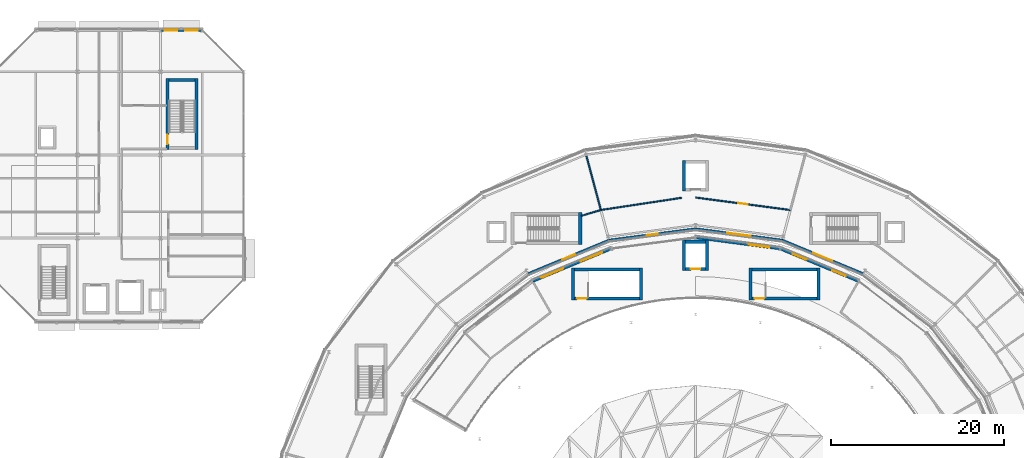
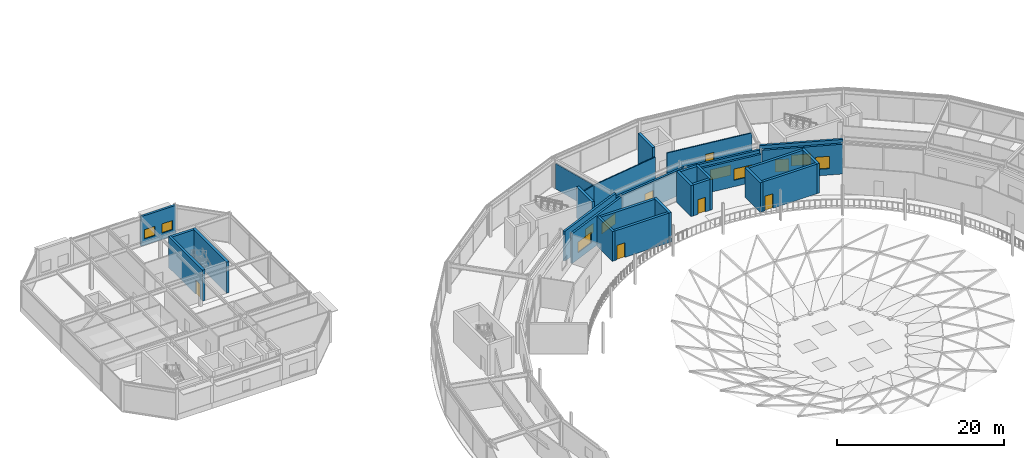
# One storey, part 86 of 116: 29 walls, 11 windows, 5 doors, 16 openings.
"""IFC4 building model written with IfcOpenShell, lengths in metres."""

from ifc_helpers import new_model, si_unit, direction, frame, frame_2d, origin, place, context, subcontext, project, spatial, rectangle, extrude, material, layer, layer_set, type_object, element, fill, save


model = new_model("IFC4")

# Units and contexts
model_context = context("Model", 3, precision=1e-05, world=origin(), true_north=direction((0.0, 1.0)))
body_context = subcontext(model_context, "Body", "Model", "MODEL_VIEW")
ifc_project = project(units=[si_unit("LENGTHUNIT", "METRE"), si_unit("AREAUNIT", "SQUARE_METRE"), si_unit("VOLUMEUNIT", "CUBIC_METRE"), si_unit("PLANEANGLEUNIT", "RADIAN"), si_unit("MASSUNIT", "GRAM", prefix="KILO")], contexts=[model_context])

# Site, building, storey
site_placement = place(None, origin())
site = spatial("IfcSite", under=ifc_project, at=site_placement, CompositionType="ELEMENT")
building_placement = place(site_placement, origin())
building = spatial("IfcBuilding", under=site, at=building_placement, Name="Almandine Court Research Institute", CompositionType="ELEMENT")
storey_placement = place(building_placement, frame((0.0, 0.0, 14.35009765625)))
storey = spatial("IfcBuildingStorey", under=building, at=storey_placement, Name="L03", CompositionType="ELEMENT", Elevation=14.35009765625)

# Wall, openings, windows
ifc_material_1 = material(Name="Insulated Ochre Terracotta Rainscreen Wall", Category="masonry")
ifc_layer_1 = layer(ifc_material_1, 0.2900390625)
ifc_layer_set_1 = layer_set([ifc_layer_1], Name="Insulated Ochre Terracotta Rainscreen Wall")
wall_type_1 = type_object("IfcWallType", Name="Wall-EXT-TERR-290", PredefinedType="SOLIDWALL", material=ifc_layer_set_1)
wall_1_placement = place(storey_placement, frame((25.2041015625, 117.60009765625, 0.0), z_axis=(0.0, 0.0, 1.0), x_axis=(1.0, 0.0, 0.0)))
wall_1 = element("IfcWall", 1, at=wall_1_placement, inside=storey, type_object=wall_type_1, Name="L03 Cleanroom North Wall 3", PredefinedType="SOLIDWALL", context=body_context, shape_type="SweptSolid", body=[
    extrude(rectangle(XDim=4.7919921875, YDim=0.2900390625, at=frame_2d((2.39599609375, 0.0))), origin(), (0.0, 0.0, 1.0), 4.369873046875),
])
opening_1_placement = place(wall_1_placement, frame((0.472900390625, 0.0, 0.949951171875)))
opening_1 = element("IfcOpeningElement", 2, at=opening_1_placement, cuts=wall_1, Name="Opening WN-33", PredefinedType="OPENING", context=body_context, shape_type="SweptSolid", body=[
    extrude(rectangle(XDim=1.449951171875, YDim=1.35009765625, at=frame_2d((0.72509765625, 0.675048828125))), frame((0.0, 0.155029296875, 0.0), z_axis=(0.0, -1.0, 0.0), x_axis=(1.0, 0.0, 0.0)), (0.0, 0.0, 1.0), 0.31005859375),
])
opening_2_placement = place(wall_1_placement, frame((2.868896484375, 0.0, 0.949951171875)))
opening_2 = element("IfcOpeningElement", 3, at=opening_2_placement, cuts=wall_1, Name="Opening WN-33", PredefinedType="OPENING", context=body_context, shape_type="SweptSolid", body=[
    extrude(rectangle(XDim=1.449951171875, YDim=1.35009765625, at=frame_2d((0.72509765625, 0.675048828125))), frame((0.0, 0.155029296875, 0.0), z_axis=(0.0, -1.0, 0.0), x_axis=(1.0, 0.0, 0.0)), (0.0, 0.0, 1.0), 0.31005859375),
])
ifc_material_2 = material(Name="Thermally Broken Low-E Double-Glazed Window", Category="glass")
window_type_1 = type_object("IfcWindowType", Name="Win-WN-33-1450x1350", PartitioningType="SINGLE_PANEL", PredefinedType="WINDOW", material=ifc_material_2)
window_1_placement = place(opening_1_placement, origin())
window_1 = element("IfcWindow", 4, at=window_1_placement, inside=storey, type_object=window_type_1, Name="L03 Modular Recessed Low-E Window 50", OverallHeight=1.35009765625, OverallWidth=1.449951171875, PartitioningType="SINGLE_PANEL", PredefinedType="WINDOW", context=body_context, shape_type="SweptSolid", body=[
    extrude(rectangle(XDim=1.449951171875, YDim=1.35009765625, at=frame_2d((0.72509765625, 0.675048828125))), frame((0.0, 0.030029296875, 0.0), z_axis=(0.0, -1.0, 0.0), x_axis=(1.0, 0.0, 0.0)), (0.0, 0.0, 1.0), 0.06005859375),
])
fill(opening_1, window_1)
window_2_placement = place(opening_2_placement, origin())
window_2 = element("IfcWindow", 5, at=window_2_placement, inside=storey, type_object=window_type_1, Name="L03 Modular Recessed Low-E Window 51", OverallHeight=1.35009765625, OverallWidth=1.449951171875, PartitioningType="SINGLE_PANEL", PredefinedType="WINDOW", context=body_context, shape_type="SweptSolid", body=[
    extrude(rectangle(XDim=1.449951171875, YDim=1.35009765625, at=frame_2d((0.72509765625, 0.675048828125))), frame((0.0, 0.030029296875, 0.0), z_axis=(0.0, -1.0, 0.0), x_axis=(1.0, 0.0, 0.0)), (0.0, 0.0, 1.0), 0.06005859375),
])
fill(opening_2, window_2)

# Wall, opening, window
wall_2_placement = place(storey_placement, frame((106.324951171875, 89.48291015625, 0.0), z_axis=(0.0, 0.0, 1.0), x_axis=(-0.92385889973, 0.382733240508, 0.0)))
wall_2 = element("IfcWall", 6, at=wall_2_placement, inside=storey, type_object=wall_type_1, Name="L03 Drum Inner Gallery Wall 04", PredefinedType="SOLIDWALL", context=body_context, shape_type="SweptSolid", body=[
    extrude(rectangle(XDim=10.08056640625, YDim=0.2900390625, at=frame_2d((5.040283203125, 0.0))), origin(), (0.0, 0.0, 1.0), 4.369873046875),
])
opening_3_placement = place(wall_2_placement, frame((3.85498046875, 0.0, 0.949951171875)))
opening_3 = element("IfcOpeningElement", 7, at=opening_3_placement, cuts=wall_2, Name="Opening WN-94", PredefinedType="OPENING", context=body_context, shape_type="SweptSolid", body=[
    extrude(rectangle(XDim=2.3701171875, YDim=1.590087890625, at=frame_2d((1.18505859375, 0.794921875))), frame((0.0, 0.155029296875, 0.0), z_axis=(0.0, -1.0, 0.0), x_axis=(1.0, 0.0, 0.0)), (0.0, 0.0, 1.0), 0.31005859375),
])
window_type_2 = type_object("IfcWindowType", Name="Win-WN-94-2370x1590", PartitioningType="SINGLE_PANEL", PredefinedType="WINDOW", material=ifc_material_2)
window_3_placement = place(opening_3_placement, origin())
window_3 = element("IfcWindow", 8, at=window_3_placement, inside=storey, type_object=window_type_2, Name="L03 Modular Recessed Low-E Window 281", OverallHeight=1.590087890625, OverallWidth=2.3701171875, PartitioningType="SINGLE_PANEL", PredefinedType="WINDOW", context=body_context, shape_type="SweptSolid", body=[
    extrude(rectangle(XDim=2.3701171875, YDim=1.590087890625, at=frame_2d((1.18505859375, 0.794921875))), frame((0.0, 0.030029296875, 0.0), z_axis=(0.0, -1.0, 0.0), x_axis=(1.0, 0.0, 0.0)), (0.0, 0.0, 1.0), 0.06005859375),
])
fill(opening_3, window_3)

wall_3_placement = place(storey_placement, frame((97.0, 93.343994140625, 0.0), z_axis=(0.0, 0.0, 1.0), x_axis=(-0.991454872597, 0.130450126879, 0.0)))
wall_3 = element("IfcWall", 9, at=wall_3_placement, inside=storey, type_object=wall_type_1, Name="L03 Drum Inner Gallery Wall 05", PredefinedType="SOLIDWALL", context=body_context, shape_type="SweptSolid", body=[
    extrude(rectangle(XDim=10.080078125, YDim=0.2900390625, at=frame_2d((5.0400390625, 0.0))), origin(), (0.0, 0.0, 1.0), 3.73388671875),
])
opening_4_placement = place(wall_3_placement, frame((3.68994140625, 0.0, 0.949951171875)))
opening_4 = element("IfcOpeningElement", 10, at=opening_4_placement, cuts=wall_3, Name="Opening WN-95", PredefinedType="OPENING", context=body_context, shape_type="SweptSolid", body=[
    extrude(rectangle(XDim=2.699951171875, YDim=1.510009765625, at=frame_2d((1.35009765625, 0.7548828125))), frame((0.0, 0.155029296875, 0.0), z_axis=(0.0, -1.0, 0.0), x_axis=(1.0, 0.0, 0.0)), (0.0, 0.0, 1.0), 0.31005859375),
])
window_type_3 = type_object("IfcWindowType", Name="Win-WN-95-2700x1510", PartitioningType="SINGLE_PANEL", PredefinedType="WINDOW", material=ifc_material_2)
window_4_placement = place(opening_4_placement, origin())
window_4 = element("IfcWindow", 11, at=window_4_placement, inside=storey, type_object=window_type_3, Name="L03 Modular Recessed Low-E Window 282", OverallHeight=1.510009765625, OverallWidth=2.699951171875, PartitioningType="SINGLE_PANEL", PredefinedType="WINDOW", context=body_context, shape_type="SweptSolid", body=[
    extrude(rectangle(XDim=2.699951171875, YDim=1.510009765625, at=frame_2d((1.35009765625, 0.7548828125))), frame((0.0, 0.030029296875, 0.0), z_axis=(0.0, -1.0, 0.0), x_axis=(1.0, 0.0, 0.0)), (0.0, 0.0, 1.0), 0.06005859375),
])
fill(opening_4, window_4)

wall_4_placement = place(storey_placement, frame((86.993896484375, 94.658935546875, 0.0), z_axis=(0.0, 0.0, 1.0), x_axis=(-0.991454872597, -0.130450126879, 0.0)))
wall_4 = element("IfcWall", 12, at=wall_4_placement, inside=storey, type_object=wall_type_1, Name="L03 Drum Inner Gallery Wall 06", PredefinedType="SOLIDWALL", context=body_context, shape_type="SweptSolid", body=[
    extrude(rectangle(XDim=10.080078125, YDim=0.2900390625, at=frame_2d((5.0400390625, 0.0))), origin(), (0.0, 0.0, 1.0), 3.73388671875),
])
opening_5_placement = place(wall_4_placement, frame((4.405029296875, 0.0, 0.949951171875)))
opening_5 = element("IfcOpeningElement", 13, at=opening_5_placement, cuts=wall_4, Name="Opening WN-96", PredefinedType="OPENING", context=body_context, shape_type="SweptSolid", body=[
    extrude(rectangle(XDim=1.27001953125, YDim=1.429931640625, at=frame_2d((0.635009765625, 0.71484375))), frame((0.0, 0.155029296875, 0.0), z_axis=(0.0, -1.0, 0.0), x_axis=(1.0, 0.0, 0.0)), (0.0, 0.0, 1.0), 0.31005859375),
])
window_type_4 = type_object("IfcWindowType", Name="Win-WN-96-1270x1430", PartitioningType="SINGLE_PANEL", PredefinedType="WINDOW", material=ifc_material_2)
window_5_placement = place(opening_5_placement, origin())
window_5 = element("IfcWindow", 14, at=window_5_placement, inside=storey, type_object=window_type_4, Name="L03 Modular Recessed Low-E Window 283", OverallHeight=1.429931640625, OverallWidth=1.27001953125, PartitioningType="SINGLE_PANEL", PredefinedType="WINDOW", context=body_context, shape_type="SweptSolid", body=[
    extrude(rectangle(XDim=1.27001953125, YDim=1.429931640625, at=frame_2d((0.635009765625, 0.71484375))), frame((0.0, 0.030029296875, 0.0), z_axis=(0.0, -1.0, 0.0), x_axis=(1.0, 0.0, 0.0)), (0.0, 0.0, 1.0), 0.06005859375),
])
fill(opening_5, window_5)

wall_5_placement = place(storey_placement, frame((76.988037109375, 93.341064453125, 0.0), z_axis=(0.0, 0.0, 1.0), x_axis=(-0.92385889973, -0.382733240508, 0.0)))
wall_5 = element("IfcWall", 15, at=wall_5_placement, inside=storey, type_object=wall_type_1, Name="L03 Drum Inner Gallery Wall 07", PredefinedType="SOLIDWALL", context=body_context, shape_type="SweptSolid", body=[
    extrude(rectangle(XDim=10.08056640625, YDim=0.2900390625, at=frame_2d((5.040283203125, 0.0))), origin(), (0.0, 0.0, 1.0), 4.369873046875),
])
opening_6_placement = place(wall_5_placement, frame((4.239990234375, 0.0, 0.949951171875)))
opening_6 = element("IfcOpeningElement", 16, at=opening_6_placement, cuts=wall_5, Name="Opening WN-114", PredefinedType="OPENING", context=body_context, shape_type="SweptSolid", body=[
    extrude(rectangle(XDim=1.60009765625, YDim=1.35009765625, at=frame_2d((0.800048828125, 0.675048828125))), frame((0.0, 0.155029296875, 0.0), z_axis=(0.0, -1.0, 0.0), x_axis=(1.0, 0.0, 0.0)), (0.0, 0.0, 1.0), 0.31005859375),
])
window_type_5 = type_object("IfcWindowType", Name="Win-WN-114-1600x1350", PartitioningType="SINGLE_PANEL", PredefinedType="WINDOW", material=ifc_material_2)
window_6_placement = place(opening_6_placement, origin())
window_6 = element("IfcWindow", 17, at=window_6_placement, inside=storey, type_object=window_type_5, Name="L03 Modular Recessed Low-E Window 284", OverallHeight=1.35009765625, OverallWidth=1.60009765625, PartitioningType="SINGLE_PANEL", PredefinedType="WINDOW", context=body_context, shape_type="SweptSolid", body=[
    extrude(rectangle(XDim=1.60009765625, YDim=1.35009765625, at=frame_2d((0.800048828125, 0.675048828125))), frame((0.0, 0.030029296875, 0.0), z_axis=(0.0, -1.0, 0.0), x_axis=(1.0, 0.0, 0.0)), (0.0, 0.0, 1.0), 0.06005859375),
])
fill(opening_6, window_6)

# Wall, openings, windows
wall_6_placement = place(storey_placement, frame((96.748046875, 92.365966796875, 0.0), z_axis=(0.0, 0.0, 1.0), x_axis=(0.923848052238, -0.382759423628, 0.0)))
wall_6 = element("IfcWall", 18, at=wall_6_placement, inside=storey, type_object=wall_type_1, Name="L03 Interaction Atrium Perimeter Wall 04", PredefinedType="SOLIDWALL", context=body_context, shape_type="SweptSolid", body=[
    extrude(rectangle(XDim=9.82080078125, YDim=0.2900390625, at=frame_2d((4.910400390625, 0.0))), origin(), (0.0, 0.0, 1.0), 4.369873046875),
])
opening_7_placement = place(wall_6_placement, frame((1.60009765625, 0.0, 0.949951171875)))
opening_7 = element("IfcOpeningElement", 19, at=opening_7_placement, cuts=wall_6, Name="Opening WN-86", PredefinedType="OPENING", context=body_context, shape_type="SweptSolid", body=[
    extrude(rectangle(XDim=1.7099609375, YDim=1.800048828125, at=frame_2d((0.85498046875, 0.89990234375))), frame((0.0, 0.155029296875, 0.0), z_axis=(0.0, -1.0, 0.0), x_axis=(1.0, 0.0, 0.0)), (0.0, 0.0, 1.0), 0.31005859375),
])
opening_8_placement = place(wall_6_placement, frame((6.510986328125, 0.0, 0.949951171875)))
opening_8 = element("IfcOpeningElement", 20, at=opening_8_placement, cuts=wall_6, Name="Opening WN-86", PredefinedType="OPENING", context=body_context, shape_type="SweptSolid", body=[
    extrude(rectangle(XDim=1.7099609375, YDim=1.800048828125, at=frame_2d((0.85498046875, 0.89990234375))), frame((0.0, 0.155029296875, 0.0), z_axis=(0.0, -1.0, 0.0), x_axis=(1.0, 0.0, 0.0)), (0.0, 0.0, 1.0), 0.31005859375),
])
window_type_6 = type_object("IfcWindowType", Name="Win-WN-86-1710x1800", PartitioningType="SINGLE_PANEL", PredefinedType="WINDOW", material=ifc_material_2)
window_7_placement = place(opening_7_placement, origin())
window_7 = element("IfcWindow", 21, at=window_7_placement, inside=storey, type_object=window_type_6, Name="L03 Modular Recessed Low-E Window 375", OverallHeight=1.800048828125, OverallWidth=1.7099609375, PartitioningType="SINGLE_PANEL", PredefinedType="WINDOW", context=body_context, shape_type="SweptSolid", body=[
    extrude(rectangle(XDim=1.7099609375, YDim=1.800048828125, at=frame_2d((0.85498046875, 0.89990234375))), frame((0.0, 0.030029296875, 0.0), z_axis=(0.0, -1.0, 0.0), x_axis=(1.0, 0.0, 0.0)), (0.0, 0.0, 1.0), 0.06005859375),
])
fill(opening_7, window_7)
window_8_placement = place(opening_8_placement, origin())
window_8 = element("IfcWindow", 22, at=window_8_placement, inside=storey, type_object=window_type_6, Name="L03 Modular Recessed Low-E Window 376", OverallHeight=1.800048828125, OverallWidth=1.7099609375, PartitioningType="SINGLE_PANEL", PredefinedType="WINDOW", context=body_context, shape_type="SweptSolid", body=[
    extrude(rectangle(XDim=1.7099609375, YDim=1.800048828125, at=frame_2d((0.85498046875, 0.89990234375))), frame((0.0, 0.030029296875, 0.0), z_axis=(0.0, -1.0, 0.0), x_axis=(1.0, 0.0, 0.0)), (0.0, 0.0, 1.0), 0.06005859375),
])
fill(opening_8, window_8)

# Wall, opening, window
wall_7_placement = place(storey_placement, frame((87.00390625, 93.64892578125, 0.0), z_axis=(0.0, 0.0, 1.0), x_axis=(0.991456749128, -0.130435863969, 0.0)))
wall_7 = element("IfcWall", 23, at=wall_7_placement, inside=storey, type_object=wall_type_1, Name="L03 Interaction Atrium Perimeter Wall 05", PredefinedType="SOLIDWALL", context=body_context, shape_type="SweptSolid", body=[
    extrude(rectangle(XDim=9.821044921875, YDim=0.2900390625, at=frame_2d((4.91064453125, 0.0))), origin(), (0.0, 0.0, 1.0), 3.81591796875),
])
opening_9_placement = place(wall_7_placement, frame((6.180908203125, 0.0, 0.949951171875)))
opening_9 = element("IfcOpeningElement", 24, at=opening_9_placement, cuts=wall_7, Name="Opening WN-88", PredefinedType="OPENING", context=body_context, shape_type="SweptSolid", body=[
    extrude(rectangle(XDim=2.3701171875, YDim=1.639892578125, at=frame_2d((1.18505859375, 0.81982421875))), frame((0.0, 0.155029296875, 0.0), z_axis=(0.0, -1.0, 0.0), x_axis=(1.0, 0.0, 0.0)), (0.0, 0.0, 1.0), 0.31005859375),
])
window_type_7 = type_object("IfcWindowType", Name="Win-WN-88-2370x1640", PartitioningType="SINGLE_PANEL", PredefinedType="WINDOW", material=ifc_material_2)
window_9_placement = place(opening_9_placement, origin())
window_9 = element("IfcWindow", 25, at=window_9_placement, inside=storey, type_object=window_type_7, Name="L03 Modular Recessed Low-E Window 377", OverallHeight=1.639892578125, OverallWidth=2.3701171875, PartitioningType="SINGLE_PANEL", PredefinedType="WINDOW", context=body_context, shape_type="SweptSolid", body=[
    extrude(rectangle(XDim=2.3701171875, YDim=1.639892578125, at=frame_2d((1.18505859375, 0.81982421875))), frame((0.0, 0.030029296875, 0.0), z_axis=(0.0, -1.0, 0.0), x_axis=(1.0, 0.0, 0.0)), (0.0, 0.0, 1.0), 0.06005859375),
])
fill(opening_9, window_9)

# Wall, openings, windows
wall_8_placement = place(storey_placement, frame((68.178955078125, 88.60693359375, 0.0), z_axis=(0.0, 0.0, 1.0), x_axis=(0.923848052238, 0.382759423628, 0.0)))
wall_8 = element("IfcWall", 26, at=wall_8_placement, inside=storey, type_object=wall_type_1, Name="L03 Interaction Atrium Perimeter Wall 07", PredefinedType="SOLIDWALL", context=body_context, shape_type="SweptSolid", body=[
    extrude(rectangle(XDim=9.82080078125, YDim=0.2900390625, at=frame_2d((4.910400390625, 0.0))), origin(), (0.0, 0.0, 1.0), 4.369873046875),
])
opening_10_placement = place(wall_8_placement, frame((1.10498046875, 0.0, 0.949951171875)))
opening_10 = element("IfcOpeningElement", 27, at=opening_10_placement, cuts=wall_8, Name="Opening WN-80", PredefinedType="OPENING", context=body_context, shape_type="SweptSolid", body=[
    extrude(rectangle(XDim=2.699951171875, YDim=1.56005859375, at=frame_2d((1.35009765625, 0.780029296875))), frame((0.0, 0.155029296875, 0.0), z_axis=(0.0, -1.0, 0.0), x_axis=(1.0, 0.0, 0.0)), (0.0, 0.0, 1.0), 0.31005859375),
])
opening_11_placement = place(wall_8_placement, frame((6.01611328125, 0.0, 0.949951171875)))
opening_11 = element("IfcOpeningElement", 28, at=opening_11_placement, cuts=wall_8, Name="Opening WN-80", PredefinedType="OPENING", context=body_context, shape_type="SweptSolid", body=[
    extrude(rectangle(XDim=2.699951171875, YDim=1.56005859375, at=frame_2d((1.35009765625, 0.780029296875))), frame((0.0, 0.155029296875, 0.0), z_axis=(0.0, -1.0, 0.0), x_axis=(1.0, 0.0, 0.0)), (0.0, 0.0, 1.0), 0.31005859375),
])
window_type_8 = type_object("IfcWindowType", Name="Win-WN-80-2700x1560", PartitioningType="SINGLE_PANEL", PredefinedType="WINDOW", material=ifc_material_2)
window_10_placement = place(opening_10_placement, origin())
window_10 = element("IfcWindow", 29, at=window_10_placement, inside=storey, type_object=window_type_8, Name="L03 Modular Recessed Low-E Window 378", OverallHeight=1.56005859375, OverallWidth=2.699951171875, PartitioningType="SINGLE_PANEL", PredefinedType="WINDOW", context=body_context, shape_type="SweptSolid", body=[
    extrude(rectangle(XDim=2.699951171875, YDim=1.56005859375, at=frame_2d((1.35009765625, 0.780029296875))), frame((0.0, 0.030029296875, 0.0), z_axis=(0.0, -1.0, 0.0), x_axis=(1.0, 0.0, 0.0)), (0.0, 0.0, 1.0), 0.06005859375),
])
fill(opening_10, window_10)
window_11_placement = place(opening_11_placement, origin())
window_11 = element("IfcWindow", 30, at=window_11_placement, inside=storey, type_object=window_type_8, Name="L03 Modular Recessed Low-E Window 379", OverallHeight=1.56005859375, OverallWidth=2.699951171875, PartitioningType="SINGLE_PANEL", PredefinedType="WINDOW", context=body_context, shape_type="SweptSolid", body=[
    extrude(rectangle(XDim=2.699951171875, YDim=1.56005859375, at=frame_2d((1.35009765625, 0.780029296875))), frame((0.0, 0.030029296875, 0.0), z_axis=(0.0, -1.0, 0.0), x_axis=(1.0, 0.0, 0.0)), (0.0, 0.0, 1.0), 0.06005859375),
])
fill(opening_11, window_11)

# Wall, opening, door
ifc_material_3 = material(Name="Acoustic Steel-Stud Gypsum Partition Wall", Category="steel")
ifc_layer_2 = layer(ifc_material_3, 0.14990234375)
ifc_layer_set_2 = layer_set([ifc_layer_2], Name="Acoustic Steel-Stud Gypsum Partition Wall")
wall_type_2 = type_object("IfcWallType", Name="Wall-PART-150", PredefinedType="PARTITIONING", material=ifc_layer_set_2)
wall_9_placement = place(storey_placement, frame((97.943115234375, 96.839111328125, 0.0), z_axis=(0.0, 0.0, 1.0), x_axis=(-0.991442170204, 0.130546632054, 0.0)))
wall_9 = element("IfcWall", 31, at=wall_9_placement, inside=storey, type_object=wall_type_2, Name="L03 Interior Partition W-V5-L03-CHD-05", PredefinedType="PARTITIONING", context=body_context, shape_type="SweptSolid", body=[
    extrude(rectangle(XDim=11.03759765625, YDim=0.14990234375, at=frame_2d((5.518798828125, 0.0))), origin(), (0.0, 0.0, 1.0), 3.73779296875),
])
opening_12_placement = place(wall_9_placement, frame((4.949951171875, 0.0, 0.0)))
opening_12 = element("IfcOpeningElement", 32, at=opening_12_placement, cuts=wall_9, Name="Opening D-03", PredefinedType="OPENING", context=body_context, shape_type="SweptSolid", body=[
    extrude(rectangle(XDim=1.10009765625, YDim=2.199951171875, at=frame_2d((0.550048828125, 1.10009765625))), frame((0.0, 0.0849609375, 0.0), z_axis=(0.0, -1.0, 0.0), x_axis=(1.0, 0.0, 0.0)), (0.0, 0.0, 1.0), 0.169921875),
])
ifc_material_4 = material(Name="Acoustic Vision-Panel Seminar Door")
door_type_1 = type_object("IfcDoorType", Name="Door-INT-1100", OperationType="NOTDEFINED", PredefinedType="DOOR", material=ifc_material_4)
door_1_placement = place(opening_12_placement, origin())
door_1 = element("IfcDoor", 33, at=door_1_placement, inside=storey, type_object=door_type_1, Name="L03 Drum Computational Research Laboratory Door", OperationType="SINGLE_SWING_LEFT", OverallHeight=2.199951171875, OverallWidth=1.10009765625, PredefinedType="DOOR", context=body_context, shape_type="SweptSolid", body=[
    extrude(rectangle(XDim=1.10009765625, YDim=2.199951171875, at=frame_2d((0.550048828125, 1.10009765625))), frame((0.0, 0.02490234375, 0.0), z_axis=(0.0, -1.0, 0.0), x_axis=(1.0, 0.0, 0.0)), (0.0, 0.0, 1.0), 0.050048828125),
])
fill(opening_12, door_1)

# Walls
wall_10_placement = place(storey_placement, frame((85.376953125, 98.2490234375, 0.0), z_axis=(0.0, 0.0, 1.0), x_axis=(-0.988750352389, -0.149575200656, 0.0)))
element("IfcWall", 34, at=wall_10_placement, inside=storey, type_object=wall_type_2, Name="L03 Interior Partition W-V5-L03-CHD-06", PredefinedType="PARTITIONING", context=body_context, shape_type="SweptSolid", body=[
    extrude(rectangle(XDim=9.426025390625, YDim=0.14990234375, at=frame_2d((4.712890625, 0.0))), origin(), (0.0, 0.0, 1.0), 3.73779296875),
])
wall_11_placement = place(storey_placement, frame((76.056884765625, 96.839111328125, 0.0), z_axis=(0.0, 0.0, 1.0), x_axis=(-0.95838508169, -0.285478607244, 0.0)))
element("IfcWall", 35, at=wall_11_placement, inside=storey, type_object=wall_type_2, Name="L03 Interior Partition W-V5-L03-CHD-07", PredefinedType="PARTITIONING", context=body_context, shape_type="SweptSolid", body=[
    extrude(rectangle(XDim=2.361083984375, YDim=0.14990234375, at=frame_2d((1.1806640625, 0.0))), origin(), (0.0, 0.0, 1.0), 3.73779296875),
])
wall_12_placement = place(storey_placement, frame((76.056884765625, 96.839111328125, 0.0), z_axis=(0.0, 0.0, 1.0), x_axis=(-0.258832719409, 0.965922162166, 0.0)))
element("IfcWall", 36, at=wall_12_placement, inside=storey, type_object=wall_type_2, Name="L03 Interior Partition W-V5-L03-RAD-07", PredefinedType="PARTITIONING", context=body_context, shape_type="SweptSolid", body=[
    extrude(rectangle(XDim=6.4404296875, YDim=0.14990234375, at=frame_2d((3.22021484375, 0.0))), origin(), (0.0, 0.0, 1.0), 3.73779296875),
])
ifc_material_5 = material(Name="Concrete C40/50", Category="concrete")
ifc_layer_3 = layer(ifc_material_5, 0.35009765625)
ifc_layer_set_3 = layer_set([ifc_layer_3], Name="Concrete C40/50")
wall_type_3 = type_object("IfcWallType", Name="Wall-SW-CORE-350", PredefinedType="SHEAR", material=ifc_layer_set_3)
wall_13_placement = place(storey_placement, frame((93.324951171875, 86.449951171875, 0.0), z_axis=(0.0, 0.0, 1.0), x_axis=(0.0, 1.0, 0.0)))
element("IfcWall", 37, at=wall_13_placement, inside=storey, type_object=wall_type_3, Name="L03 ST-03 W Shear Wall", PredefinedType="SHEAR", context=body_context, shape_type="SweptSolid", body=[
    extrude(rectangle(XDim=3.699951171875, YDim=0.35009765625, at=frame_2d((1.85009765625, 0.0))), origin(), (0.0, 0.0, 1.0), 4.349853515625),
])
wall_14_placement = place(storey_placement, frame((93.5, 89.97509765625, 0.0), z_axis=(0.0, 0.0, 1.0), x_axis=(1.0, 0.0, 0.0)))
element("IfcWall", 38, at=wall_14_placement, inside=storey, type_object=wall_type_3, Name="L03 ST-03 N Shear Wall", PredefinedType="SHEAR", context=body_context, shape_type="SweptSolid", body=[
    extrude(rectangle(XDim=7.5, YDim=0.35009765625, at=frame_2d((3.75, 0.0))), origin(), (0.0, 0.0, 1.0), 4.349853515625),
])
wall_15_placement = place(storey_placement, frame((101.175048828125, 90.14990234375, 0.0), z_axis=(0.0, 0.0, 1.0), x_axis=(0.0, -1.0, 0.0)))
element("IfcWall", 39, at=wall_15_placement, inside=storey, type_object=wall_type_3, Name="L03 ST-03 E Shear Wall", PredefinedType="SHEAR", context=body_context, shape_type="SweptSolid", body=[
    extrude(rectangle(XDim=3.699951171875, YDim=0.35009765625, at=frame_2d((1.85009765625, 0.0))), origin(), (0.0, 0.0, 1.0), 4.349853515625),
])

# Wall, opening, door
wall_16_placement = place(storey_placement, frame((101.0, 86.625, 0.0), z_axis=(0.0, 0.0, 1.0), x_axis=(-1.0, 0.0, 0.0)))
wall_16 = element("IfcWall", 40, at=wall_16_placement, inside=storey, type_object=wall_type_3, Name="L03 ST-03 S Shear Wall", PredefinedType="SHEAR", context=body_context, shape_type="SweptSolid", body=[
    extrude(rectangle(XDim=7.5, YDim=0.35009765625, at=frame_2d((3.75, 0.0))), origin(), (0.0, 0.0, 1.0), 4.349853515625),
])
opening_13_placement = place(wall_16_placement, frame((6.10009765625, 0.0, 0.0)))
opening_13 = element("IfcOpeningElement", 41, at=opening_13_placement, cuts=wall_16, Name="Opening FD-STAIR", PredefinedType="OPENING", context=body_context, shape_type="SweptSolid", body=[
    extrude(rectangle(XDim=1.10009765625, YDim=2.14990234375, at=frame_2d((0.550048828125, 1.074951171875))), frame((0.0, 0.18505859375, 0.0), z_axis=(0.0, -1.0, 0.0), x_axis=(1.0, 0.0, 0.0)), (0.0, 0.0, 1.0), 0.3701171875),
])
ifc_material_6 = material(Name="Self-Closing Steel Exit Stair Fire Door", Category="steel")
door_type_2 = type_object("IfcDoorType", Name="Door-FD-STAIR-1100", OperationType="NOTDEFINED", PredefinedType="DOOR", material=ifc_material_6)
door_2_placement = place(opening_13_placement, origin())
door_2 = element("IfcDoor", 42, at=door_2_placement, inside=storey, type_object=door_type_2, Name="L03 Exit Stair ST-03 Fire Door", OperationType="SINGLE_SWING_LEFT", OverallHeight=2.14990234375, OverallWidth=1.10009765625, PredefinedType="DOOR", context=body_context, shape_type="SweptSolid", body=[
    extrude(rectangle(XDim=1.10009765625, YDim=2.14990234375, at=frame_2d((0.550048828125, 1.074951171875))), frame((0.0, 0.02490234375, 0.0), z_axis=(0.0, -1.0, 0.0), x_axis=(1.0, 0.0, 0.0)), (0.0, 0.0, 1.0), 0.050048828125),
])
fill(opening_13, door_2)

# Walls
wall_17_placement = place(storey_placement, frame((72.824951171875, 86.449951171875, 0.0), z_axis=(0.0, 0.0, 1.0), x_axis=(0.0, 1.0, 0.0)))
element("IfcWall", 43, at=wall_17_placement, inside=storey, type_object=wall_type_3, Name="L03 ST-04 W Shear Wall", PredefinedType="SHEAR", context=body_context, shape_type="SweptSolid", body=[
    extrude(rectangle(XDim=3.699951171875, YDim=0.35009765625, at=frame_2d((1.85009765625, 0.0))), origin(), (0.0, 0.0, 1.0), 4.349853515625),
])
wall_18_placement = place(storey_placement, frame((73.0, 89.97509765625, 0.0), z_axis=(0.0, 0.0, 1.0), x_axis=(1.0, 0.0, 0.0)))
element("IfcWall", 44, at=wall_18_placement, inside=storey, type_object=wall_type_3, Name="L03 ST-04 N Shear Wall", PredefinedType="SHEAR", context=body_context, shape_type="SweptSolid", body=[
    extrude(rectangle(XDim=7.5, YDim=0.35009765625, at=frame_2d((3.75, 0.0))), origin(), (0.0, 0.0, 1.0), 4.349853515625),
])
wall_19_placement = place(storey_placement, frame((80.675048828125, 90.14990234375, 0.0), z_axis=(0.0, 0.0, 1.0), x_axis=(0.0, -1.0, 0.0)))
element("IfcWall", 45, at=wall_19_placement, inside=storey, type_object=wall_type_3, Name="L03 ST-04 E Shear Wall", PredefinedType="SHEAR", context=body_context, shape_type="SweptSolid", body=[
    extrude(rectangle(XDim=3.699951171875, YDim=0.35009765625, at=frame_2d((1.85009765625, 0.0))), origin(), (0.0, 0.0, 1.0), 4.349853515625),
])

# Wall, opening, door
wall_20_placement = place(storey_placement, frame((80.5, 86.625, 0.0), z_axis=(0.0, 0.0, 1.0), x_axis=(-1.0, 0.0, 0.0)))
wall_20 = element("IfcWall", 46, at=wall_20_placement, inside=storey, type_object=wall_type_3, Name="L03 ST-04 S Shear Wall", PredefinedType="SHEAR", context=body_context, shape_type="SweptSolid", body=[
    extrude(rectangle(XDim=7.5, YDim=0.35009765625, at=frame_2d((3.75, 0.0))), origin(), (0.0, 0.0, 1.0), 4.349853515625),
])
opening_14_placement = place(wall_20_placement, frame((6.10009765625, 0.0, 0.0)))
opening_14 = element("IfcOpeningElement", 47, at=opening_14_placement, cuts=wall_20, Name="Opening FD-STAIR", PredefinedType="OPENING", context=body_context, shape_type="SweptSolid", body=[
    extrude(rectangle(XDim=1.10009765625, YDim=2.14990234375, at=frame_2d((0.550048828125, 1.074951171875))), frame((0.0, 0.18505859375, 0.0), z_axis=(0.0, -1.0, 0.0), x_axis=(1.0, 0.0, 0.0)), (0.0, 0.0, 1.0), 0.3701171875),
])
door_3_placement = place(opening_14_placement, origin())
door_3 = element("IfcDoor", 48, at=door_3_placement, inside=storey, type_object=door_type_2, Name="L03 Exit Stair ST-04 Fire Door", OperationType="SINGLE_SWING_LEFT", OverallHeight=2.14990234375, OverallWidth=1.10009765625, PredefinedType="DOOR", context=body_context, shape_type="SweptSolid", body=[
    extrude(rectangle(XDim=1.10009765625, YDim=2.14990234375, at=frame_2d((0.550048828125, 1.074951171875))), frame((0.0, 0.02490234375, 0.0), z_axis=(0.0, -1.0, 0.0), x_axis=(1.0, 0.0, 0.0)), (0.0, 0.0, 1.0), 0.050048828125),
])
fill(opening_14, door_3)

wall_21_placement = place(storey_placement, frame((26.02490234375, 103.85009765625, 0.0), z_axis=(0.0, 0.0, 1.0), x_axis=(0.0, 1.0, 0.0)))
wall_21 = element("IfcWall", 49, at=wall_21_placement, inside=storey, type_object=wall_type_3, Name="L03 ST-06 W Shear Wall", PredefinedType="SHEAR", context=body_context, shape_type="SweptSolid", body=[
    extrude(rectangle(XDim=8.199951171875, YDim=0.35009765625, at=frame_2d((4.10009765625, 0.0))), origin(), (0.0, 0.0, 1.0), 4.5498046875),
])
opening_15_placement = place(wall_21_placement, frame((0.60009765625, 0.0, 0.0)))
opening_15 = element("IfcOpeningElement", 50, at=opening_15_placement, cuts=wall_21, Name="Opening FD-STAIR", PredefinedType="OPENING", context=body_context, shape_type="SweptSolid", body=[
    extrude(rectangle(XDim=1.10009765625, YDim=2.14990234375, at=frame_2d((0.550048828125, 1.074951171875))), frame((0.0, 0.18505859375, 0.0), z_axis=(0.0, -1.0, 0.0), x_axis=(1.0, 0.0, 0.0)), (0.0, 0.0, 1.0), 0.3701171875),
])
door_4_placement = place(opening_15_placement, origin())
door_4 = element("IfcDoor", 51, at=door_4_placement, inside=storey, type_object=door_type_2, Name="L03 Exit Stair ST-06 Fire Door", OperationType="SINGLE_SWING_RIGHT", OverallHeight=2.14990234375, OverallWidth=1.10009765625, PredefinedType="DOOR", context=body_context, shape_type="SweptSolid", body=[
    extrude(rectangle(XDim=1.10009765625, YDim=2.14990234375, at=frame_2d((0.550048828125, 1.074951171875))), frame((0.0, 0.02490234375, 0.0), z_axis=(0.0, -1.0, 0.0), x_axis=(1.0, 0.0, 0.0)), (0.0, 0.0, 1.0), 0.050048828125),
])
fill(opening_15, door_4)

# Walls
wall_22_placement = place(storey_placement, frame((26.199951171875, 111.875, 0.0), z_axis=(0.0, 0.0, 1.0), x_axis=(1.0, 0.0, 0.0)))
element("IfcWall", 52, at=wall_22_placement, inside=storey, type_object=wall_type_3, Name="L03 ST-06 N Shear Wall", PredefinedType="SHEAR", context=body_context, shape_type="SweptSolid", body=[
    extrude(rectangle(XDim=3.0, YDim=0.35009765625, at=frame_2d((1.5, 0.0))), origin(), (0.0, 0.0, 1.0), 4.5498046875),
])
wall_23_placement = place(storey_placement, frame((29.375, 112.050048828125, 0.0), z_axis=(0.0, 0.0, 1.0), x_axis=(0.0, -1.0, 0.0)))
element("IfcWall", 53, at=wall_23_placement, inside=storey, type_object=wall_type_3, Name="L03 ST-06 E Shear Wall", PredefinedType="SHEAR", context=body_context, shape_type="SweptSolid", body=[
    extrude(rectangle(XDim=8.199951171875, YDim=0.35009765625, at=frame_2d((4.10009765625, 0.0))), origin(), (0.0, 0.0, 1.0), 4.5498046875),
])
wall_24_placement = place(storey_placement, frame((73.675048828125, 96.550048828125, 0.0), z_axis=(0.0, 0.0, 1.0), x_axis=(0.0, -1.0, 0.0)))
element("IfcWall", 54, at=wall_24_placement, inside=storey, type_object=wall_type_3, Name="L03 ST-10 E Shear Wall", PredefinedType="SHEAR", context=body_context, shape_type="SweptSolid", body=[
    extrude(rectangle(XDim=3.699951171875, YDim=0.35009765625, at=frame_2d((1.85009765625, 0.0))), origin(), (0.0, 0.0, 1.0), 4.5498046875),
])
wall_25_placement = place(storey_placement, frame((85.675048828125, 89.85009765625, 0.0), z_axis=(0.0, 0.0, 1.0), x_axis=(0.0, 1.0, 0.0)))
element("IfcWall", 55, at=wall_25_placement, inside=storey, type_object=wall_type_3, Name="L03 PL-03 Hoistway W Shear Wall", PredefinedType="SHEAR", context=body_context, shape_type="SweptSolid", body=[
    extrude(rectangle(XDim=3.5, YDim=0.35009765625, at=frame_2d((1.75, 0.0))), origin(), (0.0, 0.0, 1.0), 4.5498046875),
])
wall_26_placement = place(storey_placement, frame((85.85009765625, 93.175048828125, 0.0), z_axis=(0.0, 0.0, 1.0), x_axis=(1.0, 0.0, 0.0)))
element("IfcWall", 56, at=wall_26_placement, inside=storey, type_object=wall_type_3, Name="L03 PL-03 Hoistway N Shear Wall", PredefinedType="SHEAR", context=body_context, shape_type="SweptSolid", body=[
    extrude(rectangle(XDim=2.2998046875, YDim=0.35009765625, at=frame_2d((1.14990234375, 0.0))), origin(), (0.0, 0.0, 1.0), 4.5498046875),
])
wall_27_placement = place(storey_placement, frame((88.324951171875, 93.35009765625, 0.0), z_axis=(0.0, 0.0, 1.0), x_axis=(0.0, -1.0, 0.0)))
element("IfcWall", 57, at=wall_27_placement, inside=storey, type_object=wall_type_3, Name="L03 PL-03 Hoistway E Shear Wall", PredefinedType="SHEAR", context=body_context, shape_type="SweptSolid", body=[
    extrude(rectangle(XDim=3.5, YDim=0.35009765625, at=frame_2d((1.75, 0.0))), origin(), (0.0, 0.0, 1.0), 4.5498046875),
])

# Wall, opening, door
wall_28_placement = place(storey_placement, frame((88.14990234375, 90.02490234375, 0.0), z_axis=(0.0, 0.0, 1.0), x_axis=(-1.0, 0.0, 0.0)))
wall_28 = element("IfcWall", 58, at=wall_28_placement, inside=storey, type_object=wall_type_3, Name="L03 PL-03 Hoistway S Shear Wall", PredefinedType="SHEAR", context=body_context, shape_type="SweptSolid", body=[
    extrude(rectangle(XDim=2.2998046875, YDim=0.35009765625, at=frame_2d((1.14990234375, 0.0))), origin(), (0.0, 0.0, 1.0), 4.5498046875),
])
opening_16_placement = place(wall_28_placement, frame((0.60009765625, 0.0, 0.0)))
opening_16 = element("IfcOpeningElement", 59, at=opening_16_placement, cuts=wall_28, Name="Opening LD-01", PredefinedType="OPENING", context=body_context, shape_type="SweptSolid", body=[
    extrude(rectangle(XDim=1.10009765625, YDim=2.14990234375, at=frame_2d((0.550048828125, 1.074951171875))), frame((0.0, 0.18505859375, 0.0), z_axis=(0.0, -1.0, 0.0), x_axis=(1.0, 0.0, 0.0)), (0.0, 0.0, 1.0), 0.3701171875),
])
ifc_material_7 = material(Name="Stainless Steel Lift Landing Sliding Door", Category="steel")
door_type_3 = type_object("IfcDoorType", Name="Door-LD-PASS-1100", OperationType="SLIDING_TO_LEFT", PredefinedType="USERDEFINED", material=ifc_material_7)
door_5_placement = place(opening_16_placement, origin())
door_5 = element("IfcDoor", 60, at=door_5_placement, inside=storey, type_object=door_type_3, Name="L03 Interaction Atrium Passenger Lift PL-03 Sliding Landing Door", ObjectType="LANDING DOOR", OperationType="SLIDING_TO_LEFT", OverallHeight=2.14990234375, OverallWidth=1.10009765625, PredefinedType="USERDEFINED", context=body_context, shape_type="SweptSolid", body=[
    extrude(rectangle(XDim=1.10009765625, YDim=2.14990234375, at=frame_2d((0.550048828125, 1.074951171875))), frame((0.0, 0.02490234375, 0.0), z_axis=(0.0, -1.0, 0.0), x_axis=(1.0, 0.0, 0.0)), (0.0, 0.0, 1.0), 0.050048828125),
])
fill(opening_16, door_5)

# Wall
wall_29_placement = place(storey_placement, frame((85.675048828125, 99.050048828125, 0.0), z_axis=(0.0, 0.0, 1.0), x_axis=(0.0, 1.0, 0.0)))
element("IfcWall", 61, at=wall_29_placement, inside=storey, type_object=wall_type_3, Name="L03 PL-04 Hoistway W Shear Wall", PredefinedType="SHEAR", context=body_context, shape_type="SweptSolid", body=[
    extrude(rectangle(XDim=3.5, YDim=0.35009765625, at=frame_2d((1.75, 0.0))), origin(), (0.0, 0.0, 1.0), 4.5498046875),
])

save(model, "model.ifc")
